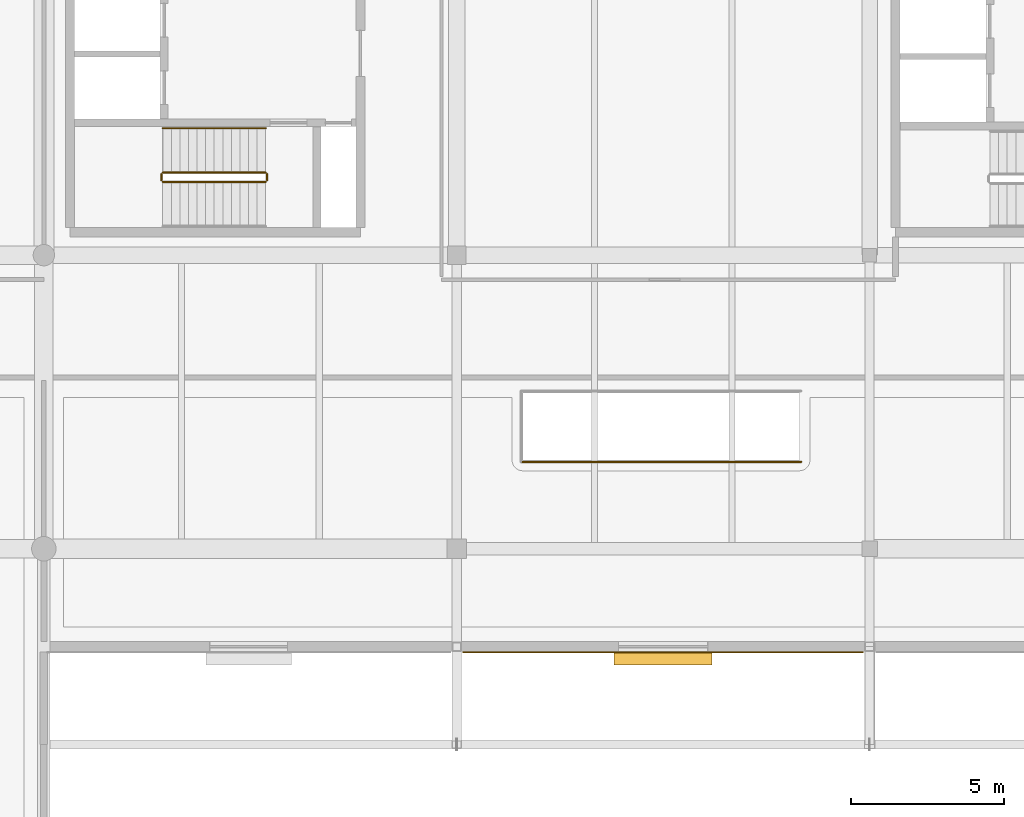
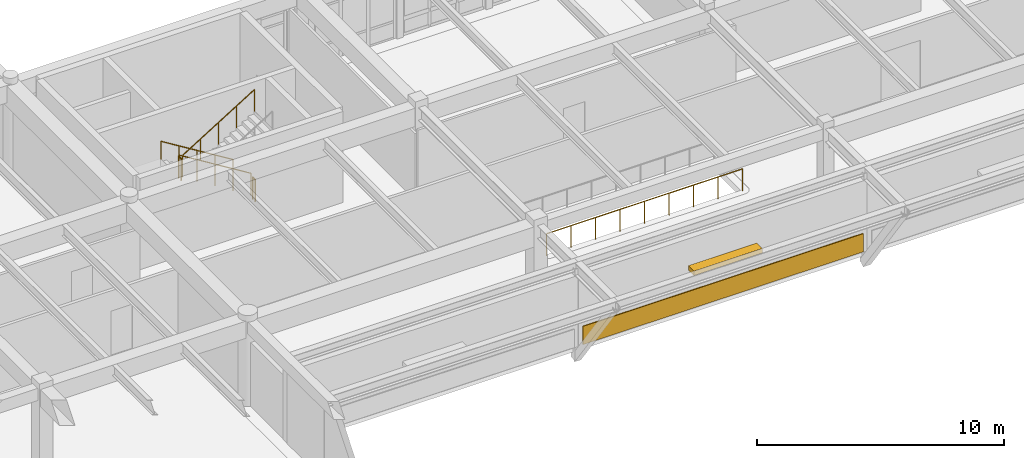
# One storey, part 99 of 109: 6 railings, 1 covering, 1 shading device.
"""IFC4 building model written with IfcOpenShell, lengths in metres."""

from ifc_helpers import new_model, si_unit, direction, frame, origin, origin_2d, place, context, subcontext, project, spatial, rectangle, circle, extrude, material, layer, layer_set, type_object, element, save


model = new_model("IFC4")

# Units and contexts
model_context = context("Model", 3, precision=1e-05, world=origin(), true_north=direction((0.0, 1.0)))
body_context = subcontext(model_context, "Body", "Model", "MODEL_VIEW")
ifc_project = project(units=[si_unit("LENGTHUNIT", "METRE"), si_unit("AREAUNIT", "SQUARE_METRE"), si_unit("VOLUMEUNIT", "CUBIC_METRE"), si_unit("PLANEANGLEUNIT", "RADIAN"), si_unit("MASSUNIT", "GRAM", prefix="KILO")], contexts=[model_context])

# Site, building, storey
site_placement = place(None, origin())
site = spatial("IfcSite", under=ifc_project, at=site_placement, CompositionType="ELEMENT")
building_placement = place(site_placement, origin())
building = spatial("IfcBuilding", under=site, at=building_placement, Name="Fikremerkos Civic Library", CompositionType="ELEMENT")
storey_placement = place(building_placement, frame((0.0, 0.0, 5.39990234375)))
storey = spatial("IfcBuildingStorey", under=building, at=storey_placement, Name="L01", CompositionType="ELEMENT", Elevation=5.39990234375)

# Shading device
ifc_material_1 = material(Name="Bronze anodized aluminium", Category="aluminium")
shading_device_type = type_object("IfcShadingDeviceType", Name="Horizontal sun-control louvre bank SHD-01", PredefinedType="JALOUSIE", material=ifc_material_1)
shading_device_placement = place(storey_placement, frame((39.449951171875, 8.419921875, 1.97021484375), z_axis=(0.0, 0.0, 1.0), x_axis=(1.0, 0.0, 0.0)))
element("IfcShadingDevice", 1, at=shading_device_placement, inside=storey, type_object=shading_device_type, Name="Sun-control louvre hood SHD-01 L01 #28", PredefinedType="JALOUSIE", context=body_context, shape_type="SweptSolid", body=[
    extrude(rectangle(XDim=3.199951171875, YDim=0.449951171875, at=origin_2d()), origin(), (0.0, 0.0, 1.0), 0.219970703125),
])

# Railings
ifc_material_2 = material(Name="Painted Steel S275", Category="steel")
railing_type_1 = type_object("IfcRailingType", Name="Interior balustrade guard RLG-INT 1100", PredefinedType="BALUSTRADE", material=ifc_material_2)
railing_1_placement = place(storey_placement, frame((26.449951171875, 24.300048828125, 0.173095703125)))
element("IfcRailing", 2, at=railing_1_placement, inside=storey, type_object=railing_type_1, Name="L01 ST-K1 stair guard 1", PredefinedType="BALUSTRADE", context=body_context, shape_type="SweptSolid", body=[
    extrude(circle(Radius=0.02392578125, at=origin_2d()), frame((0.0, 0.0, 1.076171875), z_axis=(-0.850606129759, 0.0, 0.525803396734), x_axis=(0.0, -1.0, 0.0)), (0.0, 0.0, 1.0), 3.949951171875),
    extrude(circle(Radius=0.02099609375, at=origin_2d()), origin(), (0.0, 0.0, 1.0), 1.052001953125),
    extrude(circle(Radius=0.02099609375, at=origin_2d()), frame((-0.83984375, 0.0, 0.519287109375)), (0.0, 0.0, 1.0), 1.052001953125),
    extrude(circle(Radius=0.02099609375, at=origin_2d()), frame((-1.679931640625, 0.0, 1.03857421875)), (0.0, 0.0, 1.0), 1.052001953125),
    extrude(circle(Radius=0.02099609375, at=origin_2d()), frame((-2.52001953125, 0.0, 1.5576171875)), (0.0, 0.0, 1.0), 1.052001953125),
    extrude(circle(Radius=0.02099609375, at=origin_2d()), frame((-3.35986328125, 0.0, 2.076904296875)), (0.0, 0.0, 1.0), 1.052001953125),
])
railing_2_placement = place(storey_placement, frame((23.0400390625, 24.25, 2.25)))
element("IfcRailing", 3, at=railing_2_placement, inside=storey, type_object=railing_type_1, Name="L01 ST-K1 stair guard 2", PredefinedType="BALUSTRADE", context=body_context, shape_type="SweptSolid", body=[
    extrude(circle(Radius=0.02392578125, at=origin_2d()), frame((0.0, 0.0, 1.076171875), z_axis=(0.0, -1.0, 0.0), x_axis=(1.0, 0.0, 0.0)), (0.0, 0.0, 1.0), 0.199951171875),
    extrude(circle(Radius=0.02099609375, at=origin_2d()), origin(), (0.0, 0.0, 1.0), 1.052001953125),
    extrude(circle(Radius=0.02099609375, at=origin_2d()), frame((0.0, -0.199951171875, 0.0)), (0.0, 0.0, 1.0), 1.052001953125),
])
railing_3_placement = place(storey_placement, frame((23.090087890625, 24.0, 2.423095703125)))
element("IfcRailing", 4, at=railing_3_placement, inside=storey, type_object=railing_type_1, Name="L01 ST-K1 stair guard 3", PredefinedType="BALUSTRADE", context=body_context, shape_type="SweptSolid", body=[
    extrude(circle(Radius=0.02392578125, at=origin_2d()), frame((0.0, 0.0, 1.076171875), z_axis=(0.850606129759, 0.0, 0.525803396734), x_axis=(0.0, 1.0, 0.0)), (0.0, 0.0, 1.0), 3.949951171875),
    extrude(circle(Radius=0.02099609375, at=origin_2d()), origin(), (0.0, 0.0, 1.0), 1.052001953125),
    extrude(circle(Radius=0.02099609375, at=origin_2d()), frame((0.83984375, 0.0, 0.519287109375)), (0.0, 0.0, 1.0), 1.052001953125),
    extrude(circle(Radius=0.02099609375, at=origin_2d()), frame((1.679931640625, 0.0, 1.03857421875)), (0.0, 0.0, 1.0), 1.052001953125),
    extrude(circle(Radius=0.02099609375, at=origin_2d()), frame((2.52001953125, 0.0, 1.5576171875)), (0.0, 0.0, 1.0), 1.052001953125),
    extrude(circle(Radius=0.02099609375, at=origin_2d()), frame((3.35986328125, 0.0, 2.076904296875)), (0.0, 0.0, 1.0), 1.052001953125),
])
railing_4_placement = place(storey_placement, frame((26.5, 24.25, 0.0)))
element("IfcRailing", 5, at=railing_4_placement, inside=storey, type_object=railing_type_1, Name="L01 ST-K1 stair guard 4", PredefinedType="BALUSTRADE", context=body_context, shape_type="SweptSolid", body=[
    extrude(circle(Radius=0.02392578125, at=origin_2d()), frame((0.0, 0.0, 1.076171875), z_axis=(0.0, -1.0, 0.0), x_axis=(1.0, 0.0, 0.0)), (0.0, 0.0, 1.0), 0.199951171875),
    extrude(circle(Radius=0.02099609375, at=origin_2d()), origin(), (0.0, 0.0, 1.0), 1.052001953125),
    extrude(circle(Radius=0.02099609375, at=origin_2d()), frame((0.0, -0.199951171875, 0.0)), (0.0, 0.0, 1.0), 1.052001953125),
])
railing_5_placement = place(storey_placement, frame((34.800048828125, 14.840087890625, 0.0)))
element("IfcRailing", 6, at=railing_5_placement, inside=storey, type_object=railing_type_1, Name="ST29 upper void guard S", PredefinedType="BALUSTRADE", context=body_context, shape_type="SweptSolid", body=[
    extrude(circle(Radius=0.02392578125, at=origin_2d()), frame((0.0, 0.0, 1.076171875), z_axis=(1.0, 0.0, 0.0), x_axis=(0.0, 1.0, 0.0)), (0.0, 0.0, 1.0), 9.159912109375),
    extrude(circle(Radius=0.02099609375, at=origin_2d()), origin(), (0.0, 0.0, 1.0), 1.052001953125),
    extrude(circle(Radius=0.02099609375, at=origin_2d()), frame((1.14501953125, 0.0, 0.0)), (0.0, 0.0, 1.0), 1.052001953125),
    extrude(circle(Radius=0.02099609375, at=origin_2d()), frame((2.2900390625, 0.0, 0.0)), (0.0, 0.0, 1.0), 1.052001953125),
    extrude(circle(Radius=0.02099609375, at=origin_2d()), frame((3.43505859375, 0.0, 0.0)), (0.0, 0.0, 1.0), 1.052001953125),
    extrude(circle(Radius=0.02099609375, at=origin_2d()), frame((4.580078125, 0.0, 0.0)), (0.0, 0.0, 1.0), 1.052001953125),
    extrude(circle(Radius=0.02099609375, at=origin_2d()), frame((5.724853515625, 0.0, 0.0)), (0.0, 0.0, 1.0), 1.052001953125),
    extrude(circle(Radius=0.02099609375, at=origin_2d()), frame((6.869873046875, 0.0, 0.0)), (0.0, 0.0, 1.0), 1.052001953125),
    extrude(circle(Radius=0.02099609375, at=origin_2d()), frame((8.014892578125, 0.0, 0.0)), (0.0, 0.0, 1.0), 1.052001953125),
    extrude(circle(Radius=0.02099609375, at=origin_2d()), frame((9.159912109375, 0.0, 0.0)), (0.0, 0.0, 1.0), 1.052001953125),
])

# Covering
ifc_material_3 = material(Name="Precast concrete C40/50", Category="concrete")
ifc_layer = layer(ifc_material_3, 0.044921875, Name="Precast concrete C40/50")
ifc_layer_set = layer_set([ifc_layer], Name="Precast concrete C40/50")
covering_type = type_object("IfcCoveringType", Name="Precast basalt facade cladding CLD-01", PredefinedType="CLADDING", material=ifc_layer_set)
covering_placement = place(storey_placement, frame((39.449951171875, 8.617919921875, 0.050048828125), z_axis=(0.0, 0.0, 1.0), x_axis=(1.0, 0.0, 0.0)))
element("IfcCovering", 7, at=covering_placement, inside=storey, type_object=covering_type, Name="Basalt spandrel cladding CLD-01 L01 #6", PredefinedType="CLADDING", context=body_context, shape_type="SweptSolid", body=[
    extrude(rectangle(XDim=13.095947265625, YDim=0.044921875, at=origin_2d()), origin(), (0.0, 0.0, 1.0), 0.89990234375),
])

# Railing
ifc_material_4 = material(Name="Brushed stainless steel", Category="steel")
railing_type_2 = type_object("IfcRailingType", Name="Wall and flight handrail HRL-01 900", PredefinedType="HANDRAIL", material=ifc_material_4)
railing_6_placement = place(storey_placement, frame((26.449951171875, 25.75, 0.173095703125)))
element("IfcRailing", 8, at=railing_6_placement, inside=storey, type_object=railing_type_2, Name="L01 ST-K1 stair handrail 1", PredefinedType="HANDRAIL", context=body_context, shape_type="SweptSolid", body=[
    extrude(circle(Radius=0.02392578125, at=origin_2d()), frame((0.0, 0.0, 0.8759765625), z_axis=(-0.850606129759, 0.0, 0.525803396734), x_axis=(0.0, -1.0, 0.0)), (0.0, 0.0, 1.0), 3.949951171875),
    extrude(circle(Radius=0.02099609375, at=origin_2d()), origin(), (0.0, 0.0, 1.0), 0.851806640625),
    extrude(circle(Radius=0.02099609375, at=origin_2d()), frame((-0.83984375, 0.0, 0.519287109375)), (0.0, 0.0, 1.0), 0.851806640625),
    extrude(circle(Radius=0.02099609375, at=origin_2d()), frame((-1.679931640625, 0.0, 1.03857421875)), (0.0, 0.0, 1.0), 0.851806640625),
    extrude(circle(Radius=0.02099609375, at=origin_2d()), frame((-2.52001953125, 0.0, 1.5576171875)), (0.0, 0.0, 1.0), 0.851806640625),
    extrude(circle(Radius=0.02099609375, at=origin_2d()), frame((-3.35986328125, 0.0, 2.076904296875)), (0.0, 0.0, 1.0), 0.851806640625),
])

save(model, "model.ifc")
